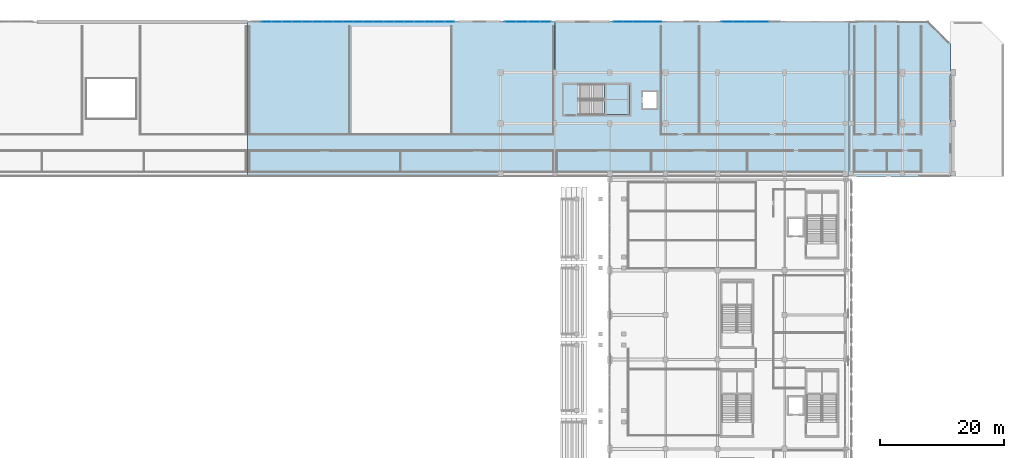
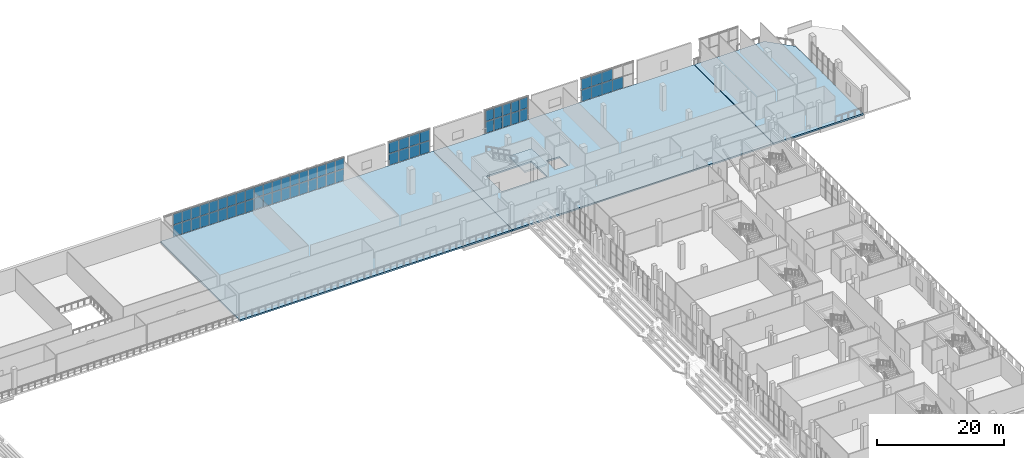
# One storey, part 84 of 142: 63 plates, 4 slabs, 5 elements without a shape of their own.
"""IFC4 building model written with IfcOpenShell, lengths in metres."""

from ifc_helpers import new_model, si_unit, direction, frame, origin, origin_2d, place, context, subcontext, project, spatial, polyline, rectangle, outline, extrude, material, layer, layer_set, type_object, element, aggregate, save


model = new_model("IFC4")

# Units and contexts
model_context = context("Model", 3, precision=1e-05, world=origin(), true_north=direction((0.0, 1.0)))
body_context = subcontext(model_context, "Body", "Model", "MODEL_VIEW")
ifc_project = project(units=[si_unit("LENGTHUNIT", "METRE"), si_unit("AREAUNIT", "SQUARE_METRE"), si_unit("VOLUMEUNIT", "CUBIC_METRE"), si_unit("PLANEANGLEUNIT", "RADIAN"), si_unit("MASSUNIT", "GRAM", prefix="KILO")], contexts=[model_context])

# Site, building, storey
site_placement = place(None, origin())
site = spatial("IfcSite", under=ifc_project, at=site_placement, CompositionType="ELEMENT")
building_placement = place(site_placement, origin())
building = spatial("IfcBuilding", under=site, at=building_placement, Name="Koshinbarg Plaza Stadium", CompositionType="ELEMENT")
storey_placement = place(building_placement, frame((0.0, 0.0, 10.199951171875)))
storey = spatial("IfcBuildingStorey", under=building, at=storey_placement, Name="L02", CompositionType="ELEMENT", Elevation=10.199951171875)

# Curtain wall, plates
ifc_material_1 = material(Name="Thermally broken anodised aluminium and low-E double glazing", Category="aluminium")
curtain_wall_type_1 = type_object("IfcCurtainWallType", Name="CW-SYS-03", PredefinedType="NOTDEFINED", material=ifc_material_1)
curtain_wall_1_placement = place(storey_placement, origin())
curtain_wall_1 = element("IfcCurtainWall", 1, at=curtain_wall_1_placement, inside=storey, type_object=curtain_wall_type_1, Name="L02 unitised curtain wall CW-L02-050", PredefinedType="NOTDEFINED")
ifc_material_2 = material(Name="Solar-control low-E double glazing unit", Category="glass")
ifc_layer_1 = layer(ifc_material_2, 0.028076171875)
ifc_layer_set_1 = layer_set([ifc_layer_1], Name="Solar-control low-E double glazing unit")
plate_type_1 = type_object("IfcPlateType", Name="CW-PNL-28", PredefinedType="CURTAIN_PANEL", material=ifc_layer_set_1)
plate_1_placement = place(storey_placement, frame((125.076904296875, 152.0, 0.06005859375), z_axis=(0.0, 0.0, 1.0), x_axis=(1.0, 0.0, 0.0)))
plate_1 = element("IfcPlate", 2, at=plate_1_placement, type_object=plate_type_1, Name="CW03 panel 2.1", PredefinedType="CURTAIN_PANEL", context=body_context, shape_type="SweptSolid", body=[
    extrude(rectangle(XDim=1.577880859375, YDim=0.028076171875, at=origin_2d()), origin(), (0.0, 0.0, 1.0), 2.239501953125),
])
plate_2_placement = place(storey_placement, frame((125.076904296875, 152.0, 2.35986328125), z_axis=(0.0, 0.0, 1.0), x_axis=(1.0, 0.0, 0.0)))
plate_2 = element("IfcPlate", 3, at=plate_2_placement, type_object=plate_type_1, Name="CW03 panel 2.2", PredefinedType="CURTAIN_PANEL", context=body_context, shape_type="SweptSolid", body=[
    extrude(rectangle(XDim=1.577880859375, YDim=0.028076171875, at=origin_2d()), origin(), (0.0, 0.0, 1.0), 2.060302734375),
])
plate_3_placement = place(storey_placement, frame((126.715087890625, 152.0, 0.06005859375), z_axis=(0.0, 0.0, 1.0), x_axis=(1.0, 0.0, 0.0)))
plate_3 = element("IfcPlate", 4, at=plate_3_placement, type_object=plate_type_1, Name="CW03 panel 3.1", PredefinedType="CURTAIN_PANEL", context=body_context, shape_type="SweptSolid", body=[
    extrude(rectangle(XDim=1.577880859375, YDim=0.028076171875, at=origin_2d()), origin(), (0.0, 0.0, 1.0), 2.239501953125),
])
plate_4_placement = place(storey_placement, frame((126.715087890625, 152.0, 2.35986328125), z_axis=(0.0, 0.0, 1.0), x_axis=(1.0, 0.0, 0.0)))
plate_4 = element("IfcPlate", 5, at=plate_4_placement, type_object=plate_type_1, Name="CW03 panel 3.2", PredefinedType="CURTAIN_PANEL", context=body_context, shape_type="SweptSolid", body=[
    extrude(rectangle(XDim=1.577880859375, YDim=0.028076171875, at=origin_2d()), origin(), (0.0, 0.0, 1.0), 2.060302734375),
])
plate_5_placement = place(storey_placement, frame((128.35302734375, 152.0, 0.06005859375), z_axis=(0.0, 0.0, 1.0), x_axis=(1.0, 0.0, 0.0)))
plate_5 = element("IfcPlate", 6, at=plate_5_placement, type_object=plate_type_1, Name="CW03 panel 4.1", PredefinedType="CURTAIN_PANEL", context=body_context, shape_type="SweptSolid", body=[
    extrude(rectangle(XDim=1.577880859375, YDim=0.028076171875, at=origin_2d()), origin(), (0.0, 0.0, 1.0), 2.239501953125),
])
plate_6_placement = place(storey_placement, frame((128.35302734375, 152.0, 2.35986328125), z_axis=(0.0, 0.0, 1.0), x_axis=(1.0, 0.0, 0.0)))
plate_6 = element("IfcPlate", 7, at=plate_6_placement, type_object=plate_type_1, Name="CW03 panel 4.2", PredefinedType="CURTAIN_PANEL", context=body_context, shape_type="SweptSolid", body=[
    extrude(rectangle(XDim=1.577880859375, YDim=0.028076171875, at=origin_2d()), origin(), (0.0, 0.0, 1.0), 2.060302734375),
])
plate_7_placement = place(storey_placement, frame((129.990966796875, 152.0, 0.06005859375), z_axis=(0.0, 0.0, 1.0), x_axis=(1.0, 0.0, 0.0)))
plate_7 = element("IfcPlate", 8, at=plate_7_placement, type_object=plate_type_1, Name="CW03 panel 5.1", PredefinedType="CURTAIN_PANEL", context=body_context, shape_type="SweptSolid", body=[
    extrude(rectangle(XDim=1.577880859375, YDim=0.028076171875, at=origin_2d()), origin(), (0.0, 0.0, 1.0), 2.239501953125),
])
plate_8_placement = place(storey_placement, frame((129.990966796875, 152.0, 2.35986328125), z_axis=(0.0, 0.0, 1.0), x_axis=(1.0, 0.0, 0.0)))
plate_8 = element("IfcPlate", 9, at=plate_8_placement, type_object=plate_type_1, Name="CW03 panel 5.2", PredefinedType="CURTAIN_PANEL", context=body_context, shape_type="SweptSolid", body=[
    extrude(rectangle(XDim=1.577880859375, YDim=0.028076171875, at=origin_2d()), origin(), (0.0, 0.0, 1.0), 2.060302734375),
])
plate_9_placement = place(storey_placement, frame((131.62890625, 152.0, 0.06005859375), z_axis=(0.0, 0.0, 1.0), x_axis=(1.0, 0.0, 0.0)))
plate_9 = element("IfcPlate", 10, at=plate_9_placement, type_object=plate_type_1, Name="CW03 panel 6.1", PredefinedType="CURTAIN_PANEL", context=body_context, shape_type="SweptSolid", body=[
    extrude(rectangle(XDim=1.577880859375, YDim=0.028076171875, at=origin_2d()), origin(), (0.0, 0.0, 1.0), 2.239501953125),
])
plate_10_placement = place(storey_placement, frame((131.62890625, 152.0, 2.35986328125), z_axis=(0.0, 0.0, 1.0), x_axis=(1.0, 0.0, 0.0)))
plate_10 = element("IfcPlate", 11, at=plate_10_placement, type_object=plate_type_1, Name="CW03 panel 6.2", PredefinedType="CURTAIN_PANEL", context=body_context, shape_type="SweptSolid", body=[
    extrude(rectangle(XDim=1.577880859375, YDim=0.028076171875, at=origin_2d()), origin(), (0.0, 0.0, 1.0), 2.060302734375),
])
plate_11_placement = place(storey_placement, frame((133.26708984375, 152.0, 0.06005859375), z_axis=(0.0, 0.0, 1.0), x_axis=(1.0, 0.0, 0.0)))
plate_11 = element("IfcPlate", 12, at=plate_11_placement, type_object=plate_type_1, Name="CW03 panel 7.1", PredefinedType="CURTAIN_PANEL", context=body_context, shape_type="SweptSolid", body=[
    extrude(rectangle(XDim=1.577880859375, YDim=0.028076171875, at=origin_2d()), origin(), (0.0, 0.0, 1.0), 2.239501953125),
])
plate_12_placement = place(storey_placement, frame((133.26708984375, 152.0, 2.35986328125), z_axis=(0.0, 0.0, 1.0), x_axis=(1.0, 0.0, 0.0)))
plate_12 = element("IfcPlate", 13, at=plate_12_placement, type_object=plate_type_1, Name="CW03 panel 7.2", PredefinedType="CURTAIN_PANEL", context=body_context, shape_type="SweptSolid", body=[
    extrude(rectangle(XDim=1.577880859375, YDim=0.028076171875, at=origin_2d()), origin(), (0.0, 0.0, 1.0), 2.060302734375),
])
plate_13_placement = place(storey_placement, frame((134.905029296875, 152.0, 0.06005859375), z_axis=(0.0, 0.0, 1.0), x_axis=(1.0, 0.0, 0.0)))
plate_13 = element("IfcPlate", 14, at=plate_13_placement, type_object=plate_type_1, Name="CW03 panel 8.1", PredefinedType="CURTAIN_PANEL", context=body_context, shape_type="SweptSolid", body=[
    extrude(rectangle(XDim=1.577880859375, YDim=0.028076171875, at=origin_2d()), origin(), (0.0, 0.0, 1.0), 2.239501953125),
])
plate_14_placement = place(storey_placement, frame((134.905029296875, 152.0, 2.35986328125), z_axis=(0.0, 0.0, 1.0), x_axis=(1.0, 0.0, 0.0)))
plate_14 = element("IfcPlate", 15, at=plate_14_placement, type_object=plate_type_1, Name="CW03 panel 8.2", PredefinedType="CURTAIN_PANEL", context=body_context, shape_type="SweptSolid", body=[
    extrude(rectangle(XDim=1.577880859375, YDim=0.028076171875, at=origin_2d()), origin(), (0.0, 0.0, 1.0), 2.060302734375),
])
plate_15_placement = place(storey_placement, frame((136.54296875, 152.0, 0.06005859375), z_axis=(0.0, 0.0, 1.0), x_axis=(1.0, 0.0, 0.0)))
plate_15 = element("IfcPlate", 16, at=plate_15_placement, type_object=plate_type_1, Name="CW03 panel 9.1", PredefinedType="CURTAIN_PANEL", context=body_context, shape_type="SweptSolid", body=[
    extrude(rectangle(XDim=1.577880859375, YDim=0.028076171875, at=origin_2d()), origin(), (0.0, 0.0, 1.0), 2.239501953125),
])
plate_16_placement = place(storey_placement, frame((136.54296875, 152.0, 2.35986328125), z_axis=(0.0, 0.0, 1.0), x_axis=(1.0, 0.0, 0.0)))
plate_16 = element("IfcPlate", 17, at=plate_16_placement, type_object=plate_type_1, Name="CW03 panel 9.2", PredefinedType="CURTAIN_PANEL", context=body_context, shape_type="SweptSolid", body=[
    extrude(rectangle(XDim=1.577880859375, YDim=0.028076171875, at=origin_2d()), origin(), (0.0, 0.0, 1.0), 2.060302734375),
])
plate_17_placement = place(storey_placement, frame((138.180908203125, 152.0, 0.06005859375), z_axis=(0.0, 0.0, 1.0), x_axis=(1.0, 0.0, 0.0)))
plate_17 = element("IfcPlate", 18, at=plate_17_placement, type_object=plate_type_1, Name="CW03 panel 10.1", PredefinedType="CURTAIN_PANEL", context=body_context, shape_type="SweptSolid", body=[
    extrude(rectangle(XDim=1.577880859375, YDim=0.028076171875, at=origin_2d()), origin(), (0.0, 0.0, 1.0), 2.239501953125),
])
plate_18_placement = place(storey_placement, frame((138.180908203125, 152.0, 2.35986328125), z_axis=(0.0, 0.0, 1.0), x_axis=(1.0, 0.0, 0.0)))
plate_18 = element("IfcPlate", 19, at=plate_18_placement, type_object=plate_type_1, Name="CW03 panel 10.2", PredefinedType="CURTAIN_PANEL", context=body_context, shape_type="SweptSolid", body=[
    extrude(rectangle(XDim=1.577880859375, YDim=0.028076171875, at=origin_2d()), origin(), (0.0, 0.0, 1.0), 2.060302734375),
])
plate_19_placement = place(storey_placement, frame((139.819091796875, 152.0, 0.06005859375), z_axis=(0.0, 0.0, 1.0), x_axis=(1.0, 0.0, 0.0)))
plate_19 = element("IfcPlate", 20, at=plate_19_placement, type_object=plate_type_1, Name="CW03 panel 11.1", PredefinedType="CURTAIN_PANEL", context=body_context, shape_type="SweptSolid", body=[
    extrude(rectangle(XDim=1.577880859375, YDim=0.028076171875, at=origin_2d()), origin(), (0.0, 0.0, 1.0), 2.239501953125),
])
plate_20_placement = place(storey_placement, frame((139.819091796875, 152.0, 2.35986328125), z_axis=(0.0, 0.0, 1.0), x_axis=(1.0, 0.0, 0.0)))
plate_20 = element("IfcPlate", 21, at=plate_20_placement, type_object=plate_type_1, Name="CW03 panel 11.2", PredefinedType="CURTAIN_PANEL", context=body_context, shape_type="SweptSolid", body=[
    extrude(rectangle(XDim=1.577880859375, YDim=0.028076171875, at=origin_2d()), origin(), (0.0, 0.0, 1.0), 2.060302734375),
])
plate_21_placement = place(storey_placement, frame((141.45703125, 152.0, 0.06005859375), z_axis=(0.0, 0.0, 1.0), x_axis=(1.0, 0.0, 0.0)))
plate_21 = element("IfcPlate", 22, at=plate_21_placement, type_object=plate_type_1, Name="CW03 panel 12.1", PredefinedType="CURTAIN_PANEL", context=body_context, shape_type="SweptSolid", body=[
    extrude(rectangle(XDim=1.577880859375, YDim=0.028076171875, at=origin_2d()), origin(), (0.0, 0.0, 1.0), 2.239501953125),
])
plate_22_placement = place(storey_placement, frame((141.45703125, 152.0, 2.35986328125), z_axis=(0.0, 0.0, 1.0), x_axis=(1.0, 0.0, 0.0)))
plate_22 = element("IfcPlate", 23, at=plate_22_placement, type_object=plate_type_1, Name="CW03 panel 12.2", PredefinedType="CURTAIN_PANEL", context=body_context, shape_type="SweptSolid", body=[
    extrude(rectangle(XDim=1.577880859375, YDim=0.028076171875, at=origin_2d()), origin(), (0.0, 0.0, 1.0), 2.060302734375),
])
plate_23_placement = place(storey_placement, frame((143.094970703125, 152.0, 0.06005859375), z_axis=(0.0, 0.0, 1.0), x_axis=(1.0, 0.0, 0.0)))
plate_23 = element("IfcPlate", 24, at=plate_23_placement, type_object=plate_type_1, Name="CW03 panel 13.1", PredefinedType="CURTAIN_PANEL", context=body_context, shape_type="SweptSolid", body=[
    extrude(rectangle(XDim=1.577880859375, YDim=0.028076171875, at=origin_2d()), origin(), (0.0, 0.0, 1.0), 2.239501953125),
])
plate_24_placement = place(storey_placement, frame((143.094970703125, 152.0, 2.35986328125), z_axis=(0.0, 0.0, 1.0), x_axis=(1.0, 0.0, 0.0)))
plate_24 = element("IfcPlate", 25, at=plate_24_placement, type_object=plate_type_1, Name="CW03 panel 13.2", PredefinedType="CURTAIN_PANEL", context=body_context, shape_type="SweptSolid", body=[
    extrude(rectangle(XDim=1.577880859375, YDim=0.028076171875, at=origin_2d()), origin(), (0.0, 0.0, 1.0), 2.060302734375),
])
plate_25_placement = place(storey_placement, frame((144.73291015625, 152.0, 0.06005859375), z_axis=(0.0, 0.0, 1.0), x_axis=(1.0, 0.0, 0.0)))
plate_25 = element("IfcPlate", 26, at=plate_25_placement, type_object=plate_type_1, Name="CW03 panel 14.1", PredefinedType="CURTAIN_PANEL", context=body_context, shape_type="SweptSolid", body=[
    extrude(rectangle(XDim=1.577880859375, YDim=0.028076171875, at=origin_2d()), origin(), (0.0, 0.0, 1.0), 2.239501953125),
])
plate_26_placement = place(storey_placement, frame((144.73291015625, 152.0, 2.35986328125), z_axis=(0.0, 0.0, 1.0), x_axis=(1.0, 0.0, 0.0)))
plate_26 = element("IfcPlate", 27, at=plate_26_placement, type_object=plate_type_1, Name="CW03 panel 14.2", PredefinedType="CURTAIN_PANEL", context=body_context, shape_type="SweptSolid", body=[
    extrude(rectangle(XDim=1.577880859375, YDim=0.028076171875, at=origin_2d()), origin(), (0.0, 0.0, 1.0), 2.060302734375),
])
plate_27_placement = place(storey_placement, frame((146.37109375, 152.0, 0.06005859375), z_axis=(0.0, 0.0, 1.0), x_axis=(1.0, 0.0, 0.0)))
plate_27 = element("IfcPlate", 28, at=plate_27_placement, type_object=plate_type_1, Name="CW03 panel 15.1", PredefinedType="CURTAIN_PANEL", context=body_context, shape_type="SweptSolid", body=[
    extrude(rectangle(XDim=1.577880859375, YDim=0.028076171875, at=origin_2d()), origin(), (0.0, 0.0, 1.0), 2.239501953125),
])
plate_28_placement = place(storey_placement, frame((146.37109375, 152.0, 2.35986328125), z_axis=(0.0, 0.0, 1.0), x_axis=(1.0, 0.0, 0.0)))
plate_28 = element("IfcPlate", 29, at=plate_28_placement, type_object=plate_type_1, Name="CW03 panel 15.2", PredefinedType="CURTAIN_PANEL", context=body_context, shape_type="SweptSolid", body=[
    extrude(rectangle(XDim=1.577880859375, YDim=0.028076171875, at=origin_2d()), origin(), (0.0, 0.0, 1.0), 2.060302734375),
])
plate_29_placement = place(storey_placement, frame((148.009033203125, 152.0, 0.06005859375), z_axis=(0.0, 0.0, 1.0), x_axis=(1.0, 0.0, 0.0)))
plate_29 = element("IfcPlate", 30, at=plate_29_placement, type_object=plate_type_1, Name="CW03 panel 16.1", PredefinedType="CURTAIN_PANEL", context=body_context, shape_type="SweptSolid", body=[
    extrude(rectangle(XDim=1.577880859375, YDim=0.028076171875, at=origin_2d()), origin(), (0.0, 0.0, 1.0), 2.239501953125),
])
plate_30_placement = place(storey_placement, frame((148.009033203125, 152.0, 2.35986328125), z_axis=(0.0, 0.0, 1.0), x_axis=(1.0, 0.0, 0.0)))
plate_30 = element("IfcPlate", 31, at=plate_30_placement, type_object=plate_type_1, Name="CW03 panel 16.2", PredefinedType="CURTAIN_PANEL", context=body_context, shape_type="SweptSolid", body=[
    extrude(rectangle(XDim=1.577880859375, YDim=0.028076171875, at=origin_2d()), origin(), (0.0, 0.0, 1.0), 2.060302734375),
])
plate_31_placement = place(storey_placement, frame((149.64697265625, 152.0, 0.06005859375), z_axis=(0.0, 0.0, 1.0), x_axis=(1.0, 0.0, 0.0)))
plate_31 = element("IfcPlate", 32, at=plate_31_placement, type_object=plate_type_1, Name="CW03 panel 17.1", PredefinedType="CURTAIN_PANEL", context=body_context, shape_type="SweptSolid", body=[
    extrude(rectangle(XDim=1.577880859375, YDim=0.028076171875, at=origin_2d()), origin(), (0.0, 0.0, 1.0), 2.239501953125),
])
plate_32_placement = place(storey_placement, frame((149.64697265625, 152.0, 2.35986328125), z_axis=(0.0, 0.0, 1.0), x_axis=(1.0, 0.0, 0.0)))
plate_32 = element("IfcPlate", 33, at=plate_32_placement, type_object=plate_type_1, Name="CW03 panel 17.2", PredefinedType="CURTAIN_PANEL", context=body_context, shape_type="SweptSolid", body=[
    extrude(rectangle(XDim=1.577880859375, YDim=0.028076171875, at=origin_2d()), origin(), (0.0, 0.0, 1.0), 2.060302734375),
])
plate_33_placement = place(storey_placement, frame((151.284912109375, 152.0, 0.06005859375), z_axis=(0.0, 0.0, 1.0), x_axis=(1.0, 0.0, 0.0)))
plate_33 = element("IfcPlate", 34, at=plate_33_placement, type_object=plate_type_1, Name="CW03 panel 18.1", PredefinedType="CURTAIN_PANEL", context=body_context, shape_type="SweptSolid", body=[
    extrude(rectangle(XDim=1.577880859375, YDim=0.028076171875, at=origin_2d()), origin(), (0.0, 0.0, 1.0), 2.239501953125),
])
plate_34_placement = place(storey_placement, frame((151.284912109375, 152.0, 2.35986328125), z_axis=(0.0, 0.0, 1.0), x_axis=(1.0, 0.0, 0.0)))
plate_34 = element("IfcPlate", 35, at=plate_34_placement, type_object=plate_type_1, Name="CW03 panel 18.2", PredefinedType="CURTAIN_PANEL", context=body_context, shape_type="SweptSolid", body=[
    extrude(rectangle(XDim=1.577880859375, YDim=0.028076171875, at=origin_2d()), origin(), (0.0, 0.0, 1.0), 2.060302734375),
])
plate_35_placement = place(storey_placement, frame((152.923095703125, 152.0, 0.06005859375), z_axis=(0.0, 0.0, 1.0), x_axis=(1.0, 0.0, 0.0)))
plate_35 = element("IfcPlate", 36, at=plate_35_placement, type_object=plate_type_1, Name="CW03 panel 19.1", PredefinedType="CURTAIN_PANEL", context=body_context, shape_type="SweptSolid", body=[
    extrude(rectangle(XDim=1.577880859375, YDim=0.028076171875, at=origin_2d()), origin(), (0.0, 0.0, 1.0), 2.239501953125),
])
plate_36_placement = place(storey_placement, frame((152.923095703125, 152.0, 2.35986328125), z_axis=(0.0, 0.0, 1.0), x_axis=(1.0, 0.0, 0.0)))
plate_36 = element("IfcPlate", 37, at=plate_36_placement, type_object=plate_type_1, Name="CW03 panel 19.2", PredefinedType="CURTAIN_PANEL", context=body_context, shape_type="SweptSolid", body=[
    extrude(rectangle(XDim=1.577880859375, YDim=0.028076171875, at=origin_2d()), origin(), (0.0, 0.0, 1.0), 2.060302734375),
])
plate_37_placement = place(storey_placement, frame((154.5458984375, 152.0, 0.06005859375), z_axis=(0.0, 0.0, 1.0), x_axis=(1.0, 0.0, 0.0)))
plate_37 = element("IfcPlate", 38, at=plate_37_placement, type_object=plate_type_1, Name="CW03 panel 20.1", PredefinedType="CURTAIN_PANEL", context=body_context, shape_type="SweptSolid", body=[
    extrude(rectangle(XDim=1.548095703125, YDim=0.028076171875, at=origin_2d()), origin(), (0.0, 0.0, 1.0), 2.239501953125),
])
plate_38_placement = place(storey_placement, frame((154.5458984375, 152.0, 2.35986328125), z_axis=(0.0, 0.0, 1.0), x_axis=(1.0, 0.0, 0.0)))
plate_38 = element("IfcPlate", 39, at=plate_38_placement, type_object=plate_type_1, Name="CW03 panel 20.2", PredefinedType="CURTAIN_PANEL", context=body_context, shape_type="SweptSolid", body=[
    extrude(rectangle(XDim=1.548095703125, YDim=0.028076171875, at=origin_2d()), origin(), (0.0, 0.0, 1.0), 2.060302734375),
])
aggregate(curtain_wall_1, [plate_1, plate_2, plate_3, plate_4, plate_5, plate_6, plate_7, plate_8, plate_9, plate_10, plate_11, plate_12, plate_13, plate_14, plate_15, plate_16, plate_17, plate_18, plate_19, plate_20, plate_21, plate_22, plate_23, plate_24, plate_25, plate_26, plate_27, plate_28, plate_29, plate_30, plate_31, plate_32, plate_33, plate_34, plate_35, plate_36, plate_37, plate_38])

curtain_wall_type_2 = type_object("IfcCurtainWallType", Name="CW-SYS-05", PredefinedType="NOTDEFINED", material=ifc_material_1)
curtain_wall_2_placement = place(storey_placement, origin())
curtain_wall_2 = element("IfcCurtainWall", 40, at=curtain_wall_2_placement, inside=storey, type_object=curtain_wall_type_2, Name="L02 unitised curtain wall CW-L02-052", PredefinedType="NOTDEFINED")
plate_39_placement = place(storey_placement, frame((181.81103515625, 152.0, 0.06005859375), z_axis=(0.0, 0.0, 1.0), x_axis=(1.0, 0.0, 0.0)))
plate_39 = element("IfcPlate", 41, at=plate_39_placement, type_object=plate_type_1, Name="CW05 panel 1.1", PredefinedType="CURTAIN_PANEL", context=body_context, shape_type="SweptSolid", body=[
    extrude(rectangle(XDim=1.4619140625, YDim=0.028076171875, at=origin_2d()), origin(), (0.0, 0.0, 1.0), 2.239501953125),
])
plate_40_placement = place(storey_placement, frame((181.81103515625, 152.0, 2.35986328125), z_axis=(0.0, 0.0, 1.0), x_axis=(1.0, 0.0, 0.0)))
plate_40 = element("IfcPlate", 42, at=plate_40_placement, type_object=plate_type_1, Name="CW05 panel 1.2", PredefinedType="CURTAIN_PANEL", context=body_context, shape_type="SweptSolid", body=[
    extrude(rectangle(XDim=1.4619140625, YDim=0.028076171875, at=origin_2d()), origin(), (0.0, 0.0, 1.0), 2.060302734375),
])
plate_41_placement = place(storey_placement, frame((183.347900390625, 152.0, 0.06005859375), z_axis=(0.0, 0.0, 1.0), x_axis=(1.0, 0.0, 0.0)))
plate_41 = element("IfcPlate", 43, at=plate_41_placement, type_object=plate_type_1, Name="CW05 panel 2.1", PredefinedType="CURTAIN_PANEL", context=body_context, shape_type="SweptSolid", body=[
    extrude(rectangle(XDim=1.491943359375, YDim=0.028076171875, at=origin_2d()), origin(), (0.0, 0.0, 1.0), 2.239501953125),
])
plate_42_placement = place(storey_placement, frame((183.347900390625, 152.0, 2.35986328125), z_axis=(0.0, 0.0, 1.0), x_axis=(1.0, 0.0, 0.0)))
plate_42 = element("IfcPlate", 44, at=plate_42_placement, type_object=plate_type_1, Name="CW05 panel 2.2", PredefinedType="CURTAIN_PANEL", context=body_context, shape_type="SweptSolid", body=[
    extrude(rectangle(XDim=1.491943359375, YDim=0.028076171875, at=origin_2d()), origin(), (0.0, 0.0, 1.0), 2.060302734375),
])
plate_43_placement = place(storey_placement, frame((184.89990234375, 152.0, 0.06005859375), z_axis=(0.0, 0.0, 1.0), x_axis=(1.0, 0.0, 0.0)))
plate_43 = element("IfcPlate", 45, at=plate_43_placement, type_object=plate_type_1, Name="CW05 panel 3.1", PredefinedType="CURTAIN_PANEL", context=body_context, shape_type="SweptSolid", body=[
    extrude(rectangle(XDim=1.491943359375, YDim=0.028076171875, at=origin_2d()), origin(), (0.0, 0.0, 1.0), 2.239501953125),
])
plate_44_placement = place(storey_placement, frame((184.89990234375, 152.0, 2.35986328125), z_axis=(0.0, 0.0, 1.0), x_axis=(1.0, 0.0, 0.0)))
plate_44 = element("IfcPlate", 46, at=plate_44_placement, type_object=plate_type_1, Name="CW05 panel 3.2", PredefinedType="CURTAIN_PANEL", context=body_context, shape_type="SweptSolid", body=[
    extrude(rectangle(XDim=1.491943359375, YDim=0.028076171875, at=origin_2d()), origin(), (0.0, 0.0, 1.0), 2.060302734375),
])
plate_45_placement = place(storey_placement, frame((186.451904296875, 152.0, 0.06005859375), z_axis=(0.0, 0.0, 1.0), x_axis=(1.0, 0.0, 0.0)))
plate_45 = element("IfcPlate", 47, at=plate_45_placement, type_object=plate_type_1, Name="CW05 panel 4.1", PredefinedType="CURTAIN_PANEL", context=body_context, shape_type="SweptSolid", body=[
    extrude(rectangle(XDim=1.491943359375, YDim=0.028076171875, at=origin_2d()), origin(), (0.0, 0.0, 1.0), 2.239501953125),
])
plate_46_placement = place(storey_placement, frame((186.451904296875, 152.0, 2.35986328125), z_axis=(0.0, 0.0, 1.0), x_axis=(1.0, 0.0, 0.0)))
plate_46 = element("IfcPlate", 48, at=plate_46_placement, type_object=plate_type_1, Name="CW05 panel 4.2", PredefinedType="CURTAIN_PANEL", context=body_context, shape_type="SweptSolid", body=[
    extrude(rectangle(XDim=1.491943359375, YDim=0.028076171875, at=origin_2d()), origin(), (0.0, 0.0, 1.0), 2.060302734375),
])
plate_47_placement = place(storey_placement, frame((187.989013671875, 152.0, 0.06005859375), z_axis=(0.0, 0.0, 1.0), x_axis=(1.0, 0.0, 0.0)))
plate_47 = element("IfcPlate", 49, at=plate_47_placement, type_object=plate_type_1, Name="CW05 panel 5.1", PredefinedType="CURTAIN_PANEL", context=body_context, shape_type="SweptSolid", body=[
    extrude(rectangle(XDim=1.4619140625, YDim=0.028076171875, at=origin_2d()), origin(), (0.0, 0.0, 1.0), 2.239501953125),
])
plate_48_placement = place(storey_placement, frame((187.989013671875, 152.0, 2.35986328125), z_axis=(0.0, 0.0, 1.0), x_axis=(1.0, 0.0, 0.0)))
plate_48 = element("IfcPlate", 50, at=plate_48_placement, type_object=plate_type_1, Name="CW05 panel 5.2", PredefinedType="CURTAIN_PANEL", context=body_context, shape_type="SweptSolid", body=[
    extrude(rectangle(XDim=1.4619140625, YDim=0.028076171875, at=origin_2d()), origin(), (0.0, 0.0, 1.0), 2.060302734375),
])
aggregate(curtain_wall_2, [plate_39, plate_40, plate_41, plate_42, plate_43, plate_44, plate_45, plate_46, plate_47, plate_48])

curtain_wall_type_3 = type_object("IfcCurtainWallType", Name="CW-SYS-04", PredefinedType="NOTDEFINED", material=ifc_material_1)
curtain_wall_3_placement = place(storey_placement, origin())
curtain_wall_3 = element("IfcCurtainWall", 51, at=curtain_wall_3_placement, inside=storey, type_object=curtain_wall_type_3, Name="L02 unitised curtain wall CW-L02-051", PredefinedType="NOTDEFINED")
ifc_material_3 = material(Name="Acoustic solar-control double glazing unit", Category="glass")
ifc_layer_2 = layer(ifc_material_3, 0.031982421875)
ifc_layer_set_2 = layer_set([ifc_layer_2], Name="Acoustic solar-control double glazing unit")
plate_type_2 = type_object("IfcPlateType", Name="CW-PNL-32", PredefinedType="CURTAIN_PANEL", material=ifc_layer_set_2)
plate_49_placement = place(storey_placement, frame((164.3798828125, 152.0, 0.06005859375), z_axis=(0.0, 0.0, 1.0), x_axis=(1.0, 0.0, 0.0)))
plate_49 = element("IfcPlate", 52, at=plate_49_placement, type_object=plate_type_2, Name="CW04 panel 1.1", PredefinedType="CURTAIN_PANEL", context=body_context, shape_type="SweptSolid", body=[
    extrude(rectangle(XDim=1.800048828125, YDim=0.031982421875, at=origin_2d()), origin(), (0.0, 0.0, 1.0), 2.239501953125),
])
plate_50_placement = place(storey_placement, frame((164.3798828125, 152.0, 2.35986328125), z_axis=(0.0, 0.0, 1.0), x_axis=(1.0, 0.0, 0.0)))
plate_50 = element("IfcPlate", 53, at=plate_50_placement, type_object=plate_type_2, Name="CW04 panel 1.2", PredefinedType="CURTAIN_PANEL", context=body_context, shape_type="SweptSolid", body=[
    extrude(rectangle(XDim=1.800048828125, YDim=0.031982421875, at=origin_2d()), origin(), (0.0, 0.0, 1.0), 2.060302734375),
])
plate_51_placement = place(storey_placement, frame((166.2548828125, 152.0, 0.06005859375), z_axis=(0.0, 0.0, 1.0), x_axis=(1.0, 0.0, 0.0)))
plate_51 = element("IfcPlate", 54, at=plate_51_placement, type_object=plate_type_2, Name="CW04 panel 2.1", PredefinedType="CURTAIN_PANEL", context=body_context, shape_type="SweptSolid", body=[
    extrude(rectangle(XDim=1.830078125, YDim=0.031982421875, at=origin_2d()), origin(), (0.0, 0.0, 1.0), 2.239501953125),
])
plate_52_placement = place(storey_placement, frame((166.2548828125, 152.0, 2.35986328125), z_axis=(0.0, 0.0, 1.0), x_axis=(1.0, 0.0, 0.0)))
plate_52 = element("IfcPlate", 55, at=plate_52_placement, type_object=plate_type_2, Name="CW04 panel 2.2", PredefinedType="CURTAIN_PANEL", context=body_context, shape_type="SweptSolid", body=[
    extrude(rectangle(XDim=1.830078125, YDim=0.031982421875, at=origin_2d()), origin(), (0.0, 0.0, 1.0), 2.060302734375),
])
plate_53_placement = place(storey_placement, frame((168.14501953125, 152.0, 0.06005859375), z_axis=(0.0, 0.0, 1.0), x_axis=(1.0, 0.0, 0.0)))
plate_53 = element("IfcPlate", 56, at=plate_53_placement, type_object=plate_type_2, Name="CW04 panel 3.1", PredefinedType="CURTAIN_PANEL", context=body_context, shape_type="SweptSolid", body=[
    extrude(rectangle(XDim=1.830078125, YDim=0.031982421875, at=origin_2d()), origin(), (0.0, 0.0, 1.0), 2.239501953125),
])
plate_54_placement = place(storey_placement, frame((168.14501953125, 152.0, 2.35986328125), z_axis=(0.0, 0.0, 1.0), x_axis=(1.0, 0.0, 0.0)))
plate_54 = element("IfcPlate", 57, at=plate_54_placement, type_object=plate_type_2, Name="CW04 panel 3.2", PredefinedType="CURTAIN_PANEL", context=body_context, shape_type="SweptSolid", body=[
    extrude(rectangle(XDim=1.830078125, YDim=0.031982421875, at=origin_2d()), origin(), (0.0, 0.0, 1.0), 2.060302734375),
])
plate_55_placement = place(storey_placement, frame((170.02001953125, 152.0, 0.06005859375), z_axis=(0.0, 0.0, 1.0), x_axis=(1.0, 0.0, 0.0)))
plate_55 = element("IfcPlate", 58, at=plate_55_placement, type_object=plate_type_2, Name="CW04 panel 4.1", PredefinedType="CURTAIN_PANEL", context=body_context, shape_type="SweptSolid", body=[
    extrude(rectangle(XDim=1.800048828125, YDim=0.031982421875, at=origin_2d()), origin(), (0.0, 0.0, 1.0), 2.239501953125),
])
plate_56_placement = place(storey_placement, frame((170.02001953125, 152.0, 2.35986328125), z_axis=(0.0, 0.0, 1.0), x_axis=(1.0, 0.0, 0.0)))
plate_56 = element("IfcPlate", 59, at=plate_56_placement, type_object=plate_type_2, Name="CW04 panel 4.2", PredefinedType="CURTAIN_PANEL", context=body_context, shape_type="SweptSolid", body=[
    extrude(rectangle(XDim=1.800048828125, YDim=0.031982421875, at=origin_2d()), origin(), (0.0, 0.0, 1.0), 2.060302734375),
])
aggregate(curtain_wall_3, [plate_49, plate_50, plate_51, plate_52, plate_53, plate_54, plate_55, plate_56])

curtain_wall_type_4 = type_object("IfcCurtainWallType", Name="CW-SYS-06", PredefinedType="NOTDEFINED", material=ifc_material_1)
curtain_wall_4_placement = place(storey_placement, origin())
curtain_wall_4 = element("IfcCurtainWall", 60, at=curtain_wall_4_placement, inside=storey, type_object=curtain_wall_type_4, Name="L02 unitised curtain wall CW-L02-053", PredefinedType="NOTDEFINED")
plate_57_placement = place(storey_placement, frame((199.39111328125, 152.0, 0.06005859375), z_axis=(0.0, 0.0, 1.0), x_axis=(1.0, 0.0, 0.0)))
plate_57 = element("IfcPlate", 61, at=plate_57_placement, type_object=plate_type_2, Name="CW06 panel 1.1", PredefinedType="CURTAIN_PANEL", context=body_context, shape_type="SweptSolid", body=[
    extrude(rectangle(XDim=1.822021484375, YDim=0.031982421875, at=origin_2d()), origin(), (0.0, 0.0, 1.0), 2.239501953125),
])
plate_58_placement = place(storey_placement, frame((199.39111328125, 152.0, 2.35986328125), z_axis=(0.0, 0.0, 1.0), x_axis=(1.0, 0.0, 0.0)))
plate_58 = element("IfcPlate", 62, at=plate_58_placement, type_object=plate_type_2, Name="CW06 panel 1.2", PredefinedType="CURTAIN_PANEL", context=body_context, shape_type="SweptSolid", body=[
    extrude(rectangle(XDim=1.822021484375, YDim=0.031982421875, at=origin_2d()), origin(), (0.0, 0.0, 1.0), 2.060302734375),
])
plate_59_placement = place(storey_placement, frame((201.2880859375, 152.0, 0.06005859375), z_axis=(0.0, 0.0, 1.0), x_axis=(1.0, 0.0, 0.0)))
plate_59 = element("IfcPlate", 63, at=plate_59_placement, type_object=plate_type_2, Name="CW06 panel 2.1", PredefinedType="CURTAIN_PANEL", context=body_context, shape_type="SweptSolid", body=[
    extrude(rectangle(XDim=1.85205078125, YDim=0.031982421875, at=origin_2d()), origin(), (0.0, 0.0, 1.0), 2.239501953125),
])
plate_60_placement = place(storey_placement, frame((201.2880859375, 152.0, 2.35986328125), z_axis=(0.0, 0.0, 1.0), x_axis=(1.0, 0.0, 0.0)))
plate_60 = element("IfcPlate", 64, at=plate_60_placement, type_object=plate_type_2, Name="CW06 panel 2.2", PredefinedType="CURTAIN_PANEL", context=body_context, shape_type="SweptSolid", body=[
    extrude(rectangle(XDim=1.85205078125, YDim=0.031982421875, at=origin_2d()), origin(), (0.0, 0.0, 1.0), 2.060302734375),
])
plate_61_placement = place(storey_placement, frame((203.199951171875, 152.0, 0.06005859375), z_axis=(0.0, 0.0, 1.0), x_axis=(1.0, 0.0, 0.0)))
plate_61 = element("IfcPlate", 65, at=plate_61_placement, type_object=plate_type_2, Name="CW06 panel 3.1", PredefinedType="CURTAIN_PANEL", context=body_context, shape_type="SweptSolid", body=[
    extrude(rectangle(XDim=1.85205078125, YDim=0.031982421875, at=origin_2d()), origin(), (0.0, 0.0, 1.0), 2.239501953125),
])
plate_62_placement = place(storey_placement, frame((203.199951171875, 152.0, 2.35986328125), z_axis=(0.0, 0.0, 1.0), x_axis=(1.0, 0.0, 0.0)))
plate_62 = element("IfcPlate", 66, at=plate_62_placement, type_object=plate_type_2, Name="CW06 panel 3.2", PredefinedType="CURTAIN_PANEL", context=body_context, shape_type="SweptSolid", body=[
    extrude(rectangle(XDim=1.85205078125, YDim=0.031982421875, at=origin_2d()), origin(), (0.0, 0.0, 1.0), 2.060302734375),
])
plate_63_placement = place(storey_placement, frame((205.112060546875, 152.0, 0.06005859375), z_axis=(0.0, 0.0, 1.0), x_axis=(1.0, 0.0, 0.0)))
plate_63 = element("IfcPlate", 67, at=plate_63_placement, type_object=plate_type_2, Name="CW06 panel 4.1", PredefinedType="CURTAIN_PANEL", context=body_context, shape_type="SweptSolid", body=[
    extrude(rectangle(XDim=1.85205078125, YDim=0.031982421875, at=origin_2d()), origin(), (0.0, 0.0, 1.0), 2.239501953125),
])
aggregate(curtain_wall_4, [plate_57, plate_58, plate_59, plate_60, plate_61, plate_62, plate_63])

# Slabs
ifc_material_4 = material(Name="Concrete C35/45", Category="concrete")
ifc_layer_3 = layer(ifc_material_4, 0.300048828125)
ifc_layer_set_3 = layer_set([ifc_layer_3], Name="Concrete C35/45")
slab_type_1 = type_object("IfcSlabType", Name="SL-FLR-300", PredefinedType="FLOOR", material=ifc_layer_set_3)
slab_1_placement = place(storey_placement, frame((0.0, 0.0, -0.300048828125)))
element("IfcSlab", 68, at=slab_1_placement, inside=storey, type_object=slab_type_1, Name="L02 V3 structural slab 11", PredefinedType="FLOOR", context=body_context, shape_type="SweptSolid", body=[
    extrude(outline(polyline([(122.0, 127.044921875), (171.60009765625, 127.044921875), (171.60009765625, 152.0), (122.0, 152.0), (122.0, 127.044921875)])), origin(), (0.0, 0.0, 1.0), 0.300048828125),
])
slab_2_placement = place(storey_placement, frame((0.0, 0.0, -0.300048828125)))
element("IfcSlab", 69, at=slab_2_placement, inside=storey, type_object=slab_type_1, Name="L02 V3 structural slab 12", PredefinedType="FLOOR", context=body_context, shape_type="SweptSolid", body=[
    extrude(outline(polyline([(171.60009765625, 127.044921875), (218.955078125, 127.044921875), (218.955078125, 152.0), (171.60009765625, 152.0), (171.60009765625, 127.044921875)]), holes=[polyline([(175.360107421875, 137.0), (183.60009765625, 137.0), (183.60009765625, 141.8701171875), (175.360107421875, 141.8701171875), (175.360107421875, 137.0)]), polyline([(185.699951171875, 138.050048828125), (188.0, 138.050048828125), (188.0, 140.75), (185.699951171875, 140.75), (185.699951171875, 138.050048828125)])]), origin(), (0.0, 0.0, 1.0), 0.300048828125),
])
slab_3_placement = place(storey_placement, frame((0.0, 0.0, -0.300048828125)))
element("IfcSlab", 70, at=slab_3_placement, inside=storey, type_object=slab_type_1, Name="L02 V3 structural slab 13", PredefinedType="FLOOR", context=body_context, shape_type="SweptSolid", body=[
    extrude(outline(polyline([(219.044921875, 127.044921875), (235.3798828125, 127.044921875), (235.3798828125, 148.39990234375), (231.780029296875, 152.0), (219.044921875, 152.0), (219.044921875, 127.044921875)])), origin(), (0.0, 0.0, 1.0), 0.300048828125),
])

# Stair, slab
stair_type = type_object("IfcStairType", Name="ST-CORE-48", PredefinedType="HALF_TURN_STAIR", material=ifc_material_4)
stair_placement = place(storey_placement, origin())
stair = element("IfcStair", 71, at=stair_placement, inside=storey, type_object=stair_type, Name="L02 Protected Exit Stair C12", PredefinedType="HALF_TURN_STAIR")
ifc_layer_4 = layer(ifc_material_4, 0.320068359375)
ifc_layer_set_4 = layer_set([ifc_layer_4], Name="Concrete C35/45")
slab_type_2 = type_object("IfcSlabType", Name="SL-STLAND-280", PredefinedType="LANDING", material=ifc_layer_set_4)
slab_4_placement = place(storey_placement, frame((0.0, 0.0, 2.080078125)))
slab_4 = element("IfcSlab", 72, at=slab_4_placement, type_object=slab_type_2, Name="L02 Protected Exit Stair C12 landing 062", PredefinedType="LANDING", context=body_context, shape_type="SweptSolid", body=[
    extrude(outline(polyline([(179.56005859375, 137.0), (183.60009765625, 137.0), (183.60009765625, 141.8701171875), (179.56005859375, 141.8701171875), (179.56005859375, 137.0)])), origin(), (0.0, 0.0, 1.0), 0.320068359375),
])
aggregate(stair, [slab_4])

save(model, "model.ifc")
